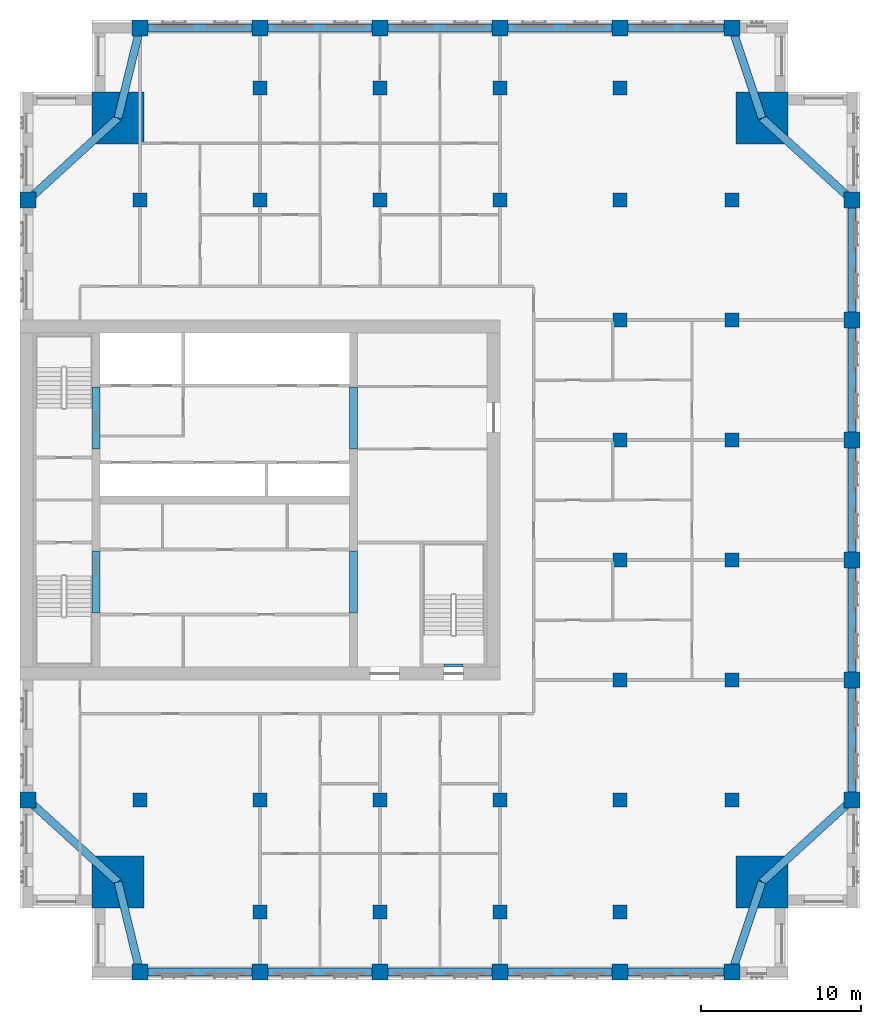
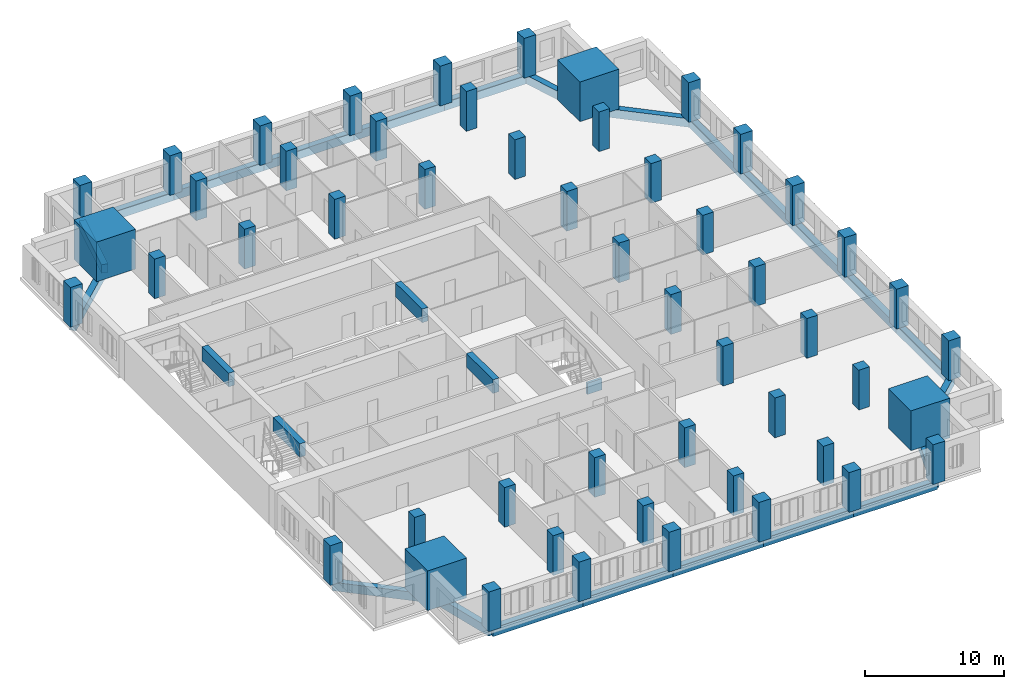
# One storey, part 1 of 14: 52 columns, 28 beams.
"""IFC4 building model written with IfcOpenShell, lengths in metres."""

import ifcopenshell
import ifcopenshell.guid

model = None  # the IFC model being written
_history = None  # IfcOwnerHistory: only IFC2X3 demands one
_inside = {}  # id of a spatial element -> (the spatial element, [elements in it])
_under = {}  # id of a project, library or spatial element -> (it, [spatial elements below it])
_declared = {}  # id of a project -> (the project, [libraries it declares])
_typed = {}  # id of a type object -> (the type object, [elements of that type])
_made_of = {}  # id of a material, layer set ... -> (it, [elements and type objects made of it])


def new_model(schema):
    """Start an empty IFC model of exactly this schema.

    Asked for "IFC4X3", IfcOpenShell would pick the latest addendum, in which some entities
    have other attributes; the version numbers below select the first issue.
    IFC2X3 requires an IfcOwnerHistory on every rooted entity: one is made here for all.
    """
    global model, _history
    if schema == "IFC4X3":
        model = ifcopenshell.file(schema_version=(4, 3, 0, 0))
    else:
        model = ifcopenshell.file(schema=schema)
    _inside.clear()
    _under.clear()
    _declared.clear()
    _typed.clear()
    _made_of.clear()
    _history = None
    if model.schema == "IFC2X3":
        org = make("IfcOrganization", Name="unknown")
        user = make(
            "IfcPersonAndOrganization",
            ThePerson=make("IfcPerson", FamilyName="unknown"),
            TheOrganization=org,
        )
        app = make(
            "IfcApplication",
            ApplicationDeveloper=org,
            Version="unknown",
            ApplicationFullName="unknown",
            ApplicationIdentifier="unknown",
        )
        _history = make(
            "IfcOwnerHistory",
            OwningUser=user,
            OwningApplication=app,
            ChangeAction="ADDED",
            CreationDate=0,
        )
    return model


def make(cls, **values):
    """One entity of the class cls with the attributes given. An attribute that is None is left unset."""
    return model.create_entity(
        cls, **{name: value for name, value in values.items() if value is not None}
    )


def rooted(cls, **values):
    """An entity with a GlobalId (a new one), such as an element, a storey or a relation."""
    return make(cls, GlobalId=ifcopenshell.guid.new(), OwnerHistory=_history, **values)


def si_unit(unit_type, name, prefix=None):
    """IfcSIUnit, for example si_unit("LENGTHUNIT", "METRE", prefix="MILLI")."""
    return make("IfcSIUnit", UnitType=unit_type, Prefix=prefix, Name=name)


def assignment(units):
    """IfcUnitAssignment: the units of a project."""
    return None if units is None else make("IfcUnitAssignment", Units=units)


def point(xyz):
    """IfcCartesianPoint."""
    return None if xyz is None else make("IfcCartesianPoint", Coordinates=xyz)


def direction(xyz):
    """IfcDirection."""
    return None if xyz is None else make("IfcDirection", DirectionRatios=xyz)


def frame(location, z_axis=None, x_axis=None):
    """IfcAxis2Placement3D, a coordinate frame: its origin and axes. An axis left out is left unset."""
    return make(
        "IfcAxis2Placement3D",
        Location=point(location),
        Axis=direction(z_axis),
        RefDirection=direction(x_axis),
    )


def frame_2d(location, x_axis=None):
    """IfcAxis2Placement2D, a coordinate frame in the plane: its origin and x axis."""
    return make(
        "IfcAxis2Placement2D", Location=point(location), RefDirection=direction(x_axis)
    )


def origin():
    """The frame at (0, 0, 0) with its axes left unset."""
    return frame((0.0, 0.0, 0.0))


def origin_2d():
    """The frame at (0, 0) in the plane with its x axis left unset."""
    return frame_2d((0.0, 0.0))


def place(relative_to, where):
    """IfcLocalPlacement: puts the frame where relative to a parent placement (None: the world)."""
    return make(
        "IfcLocalPlacement", PlacementRelTo=relative_to, RelativePlacement=where
    )


def context(
    kind, dimensions, precision=None, world=None, true_north=None, identifier=None
):
    """IfcGeometricRepresentationContext, for example the 3D "Model" context."""
    return make(
        "IfcGeometricRepresentationContext",
        ContextIdentifier=identifier,
        ContextType=kind,
        CoordinateSpaceDimension=dimensions,
        Precision=precision,
        WorldCoordinateSystem=world,
        TrueNorth=true_north,
    )


def subcontext(parent, identifier, kind, view, scale=None):
    """IfcGeometricRepresentationSubContext, for example "Body" below "Model"."""
    return make(
        "IfcGeometricRepresentationSubContext",
        ContextIdentifier=identifier,
        ContextType=kind,
        ParentContext=parent,
        TargetScale=scale,
        TargetView=view,
    )


def project(units=None, contexts=None):
    """IfcProject with its units and contexts."""
    return rooted(
        "IfcProject",
        Name="project",
        RepresentationContexts=contexts,
        UnitsInContext=assignment(units),
    )


def spatial(cls, under=None, at=None, **own):
    """A site, building, storey or space (cls), placed at a placement, below another one or the project."""
    s = rooted(cls, ObjectPlacement=at, **own)
    if under is not None:
        _under.setdefault(under.id(), (under, []))[1].append(s)
    return s


def profile(cls, at=None, kind="AREA", **sizes):
    """A parametric profile (cls). Its sizes go by their IFC names, for example OverallWidth=200.0."""
    return make(cls, ProfileType=kind, Position=at, **sizes)


def rectangle(**sizes):
    """IfcRectangleProfileDef."""
    return profile("IfcRectangleProfileDef", **sizes)


def extrude(swept, where, along, depth):
    """IfcExtrudedAreaSolid: the profile swept, set in the frame where, extruded along a direction by depth."""
    return make(
        "IfcExtrudedAreaSolid",
        SweptArea=swept,
        Position=where,
        ExtrudedDirection=direction(along),
        Depth=depth,
    )


def shape(context_of_items, identifier, shape_type, items):
    """IfcShapeRepresentation: the items that make up one representation, for example the "Body"."""
    return make(
        "IfcShapeRepresentation",
        ContextOfItems=context_of_items,
        RepresentationIdentifier=identifier,
        RepresentationType=shape_type,
        Items=items,
    )


def material(Name=None, Category=None):
    """IfcMaterial."""
    return make("IfcMaterial", Name=Name, Category=Category)


def material_profile(
    of_material, cross_section, Name=None, Category=None, Priority=None
):
    """IfcMaterialProfile: a cross section and its material."""
    return make(
        "IfcMaterialProfile",
        Name=Name,
        Material=of_material,
        Profile=cross_section,
        Priority=Priority,
        Category=Category,
    )


def profile_set(profiles, Name=None, composite=None):
    """IfcMaterialProfileSet."""
    return make(
        "IfcMaterialProfileSet",
        Name=Name,
        MaterialProfiles=profiles,
        CompositeProfile=composite,
    )


def made_of(thing, what):
    """Note that an element or type object is made of a material, layer set ...; save() writes the relation."""
    if what is not None:
        _made_of.setdefault(what.id(), (what, []))[1].append(thing)
    return thing


def type_object(cls, material=None, **own):
    """A type object (cls), such as IfcWallType, which elements share."""
    return made_of(rooted(cls, **own), material)


def element(
    cls,
    number,
    at=None,
    inside=None,
    cuts=None,
    type_object=None,
    material=None,
    context=None,
    identifier="Body",
    shape_type=None,
    held_by="IfcProductDefinitionShape",
    body=None,
    shapes=None,
    **own,
):
    """One element of the class cls, such as IfcWall. Its Tag is "e" and its number.

    at: its placement. inside: the storey or other place that contains it. cuts: it is an
    opening in that element (IfcRelVoidsElement). A single representation is given by context,
    identifier, shape_type and body (its items); several are given by shapes. held_by: the class
    of the entity that holds the representations. save() writes the other relations.
    """
    e = rooted(cls, Tag="e%d" % number, ObjectPlacement=at, **own)
    if body is not None:
        shapes = [shape(context, identifier, shape_type, body)]
    if shapes is not None:
        e.Representation = make(held_by, Representations=shapes)
    if inside is not None:
        _inside.setdefault(inside.id(), (inside, []))[1].append(e)
    if cuts is not None:
        rooted(
            "IfcRelVoidsElement", RelatingBuildingElement=cuts, RelatedOpeningElement=e
        )
    if type_object is not None:
        _typed.setdefault(type_object.id(), (type_object, []))[1].append(e)
    return made_of(e, material)


def aggregate(whole, parts):
    """IfcRelAggregates: a whole, such as a stair, and the parts it consists of."""
    return rooted("IfcRelAggregates", RelatingObject=whole, RelatedObjects=parts)


def save(model, path):
    """Write the relations noted so far, then the file.

    IfcRelAggregates (storeys below a building ...), IfcRelContainedInSpatialStructure (elements
    in a storey), IfcRelDefinesByType, IfcRelAssociatesMaterial and IfcRelDeclares: one each for
    every whole, place, type object, material and project.
    """
    for whole, parts in _under.values():
        aggregate(whole, parts)
    for where, things in _inside.values():
        rooted(
            "IfcRelContainedInSpatialStructure",
            RelatedElements=things,
            RelatingStructure=where,
        )
    for kind, things in _typed.values():
        rooted("IfcRelDefinesByType", RelatedObjects=things, RelatingType=kind)
    for what, things in _made_of.values():
        rooted("IfcRelAssociatesMaterial", RelatedObjects=things, RelatingMaterial=what)
    for by, libraries in _declared.values():
        rooted("IfcRelDeclares", RelatingContext=by, RelatedDefinitions=libraries)
    model.write(path)


model = new_model("IFC4")

# Units and contexts
model_context = context("Model", 3, precision=1e-05, world=origin(), true_north=direction((0.0, 1.0)))
body_context = subcontext(model_context, "Body", "Model", "MODEL_VIEW")
ifc_project = project(units=[si_unit("LENGTHUNIT", "METRE"), si_unit("AREAUNIT", "SQUARE_METRE"), si_unit("VOLUMEUNIT", "CUBIC_METRE"), si_unit("PLANEANGLEUNIT", "RADIAN"), si_unit("MASSUNIT", "GRAM", prefix="KILO")], contexts=[model_context])

# Site, building, storey
site_placement = place(None, origin())
site = spatial("IfcSite", under=ifc_project, at=site_placement, CompositionType="ELEMENT")
building_placement = place(site_placement, origin())
building = spatial("IfcBuilding", under=site, at=building_placement, Name="Tamorin Gate", CompositionType="ELEMENT")
storey_placement = place(building_placement, frame((0.0, 0.0, 203.699951171875)))
storey = spatial("IfcBuildingStorey", under=building, at=storey_placement, Name="L50", CompositionType="ELEMENT", Elevation=203.699951171875)

# Columns
ifc_material_1 = material(Name="Concrete C60/75", Category="concrete")
ifc_material_profile_1 = material_profile(ifc_material_1, rectangle(XDim=1.0, YDim=1.0, at=origin_2d()), Name="RC 1000x1000")
ifc_profile_set_1 = profile_set([ifc_material_profile_1], Name="Concrete C60/75")
column_type_1 = type_object("IfcColumnType", Name="RC column 1000x1000 C60/75", PredefinedType="COLUMN", material=ifc_profile_set_1)
for number, where, z_axis, x_axis, name in (
    (1, (37.5, 41.75, 0.0), (0.0, 0.0, 1.0), (1.0, 0.0, 0.0), "Ring column L50"),
    (2, (45.0, 41.75, 0.0), (0.0, 0.0, 1.0), (1.0, 0.0, 0.0), "Ring column L50"),
    (3, (52.5, 41.75, 0.0), (0.0, 0.0, 1.0), (1.0, 0.0, 0.0), "Ring column L50"),
    (4, (60.0, 41.75, 0.0), (0.0, 0.0, 1.0), (1.0, 0.0, 0.0), "Ring column L50"),
    (5, (67.5, 41.75, 0.0), (0.0, 0.0, 1.0), (1.0, 0.0, 0.0), "Ring column L50"),
    (6, (74.5, 41.75, 0.0), (0.0, 0.0, 1.0), (1.0, 0.0, 0.0), "Ring column L50"),
    (7, (37.5, 100.75, 0.0), (0.0, 0.0, 1.0), (1.0, 0.0, 0.0), "Ring column L50"),
    (8, (45.0, 100.75, 0.0), (0.0, 0.0, 1.0), (1.0, 0.0, 0.0), "Ring column L50"),
    (9, (52.5, 100.75, 0.0), (0.0, 0.0, 1.0), (1.0, 0.0, 0.0), "Ring column L50"),
    (10, (60.0, 100.75, 0.0), (0.0, 0.0, 1.0), (1.0, 0.0, 0.0), "Ring column L50"),
    (11, (67.5, 100.75, 0.0), (0.0, 0.0, 1.0), (1.0, 0.0, 0.0), "Ring column L50"),
    (12, (74.5, 100.75, 0.0), (0.0, 0.0, 1.0), (1.0, 0.0, 0.0), "Ring column L50"),
    (13, (30.5, 52.5, 0.0), (0.0, 0.0, 1.0), (1.0, 0.0, 0.0), "Ring column L50"),
    (14, (30.5, 90.0, 0.0), (0.0, 0.0, 1.0), (1.0, 0.0, 0.0), "Ring column L50"),
    (15, (82.0, 52.5, 0.0), (0.0, 0.0, 1.0), (1.0, 0.0, 0.0), "Ring column L50"),
    (16, (82.0, 60.0, 0.0), (0.0, 0.0, 1.0), (1.0, 0.0, 0.0), "Ring column L50"),
    (17, (82.0, 67.5, 0.0), (0.0, 0.0, 1.0), (1.0, 0.0, 0.0), "Ring column L50"),
    (18, (82.0, 75.0, 0.0), (0.0, 0.0, 1.0), (1.0, 0.0, 0.0), "Ring column L50"),
    (19, (82.0, 82.5, 0.0), (0.0, 0.0, 1.0), (1.0, 0.0, 0.0), "Ring column L50"),
    (20, (82.0, 90.0, 0.0), (0.0, 0.0, 1.0), (1.0, 0.0, 0.0), "Ring column L50"),
):
    element("IfcColumn", number, at=place(storey_placement, frame(where, z_axis=z_axis, x_axis=x_axis)), inside=storey, type_object=column_type_1, Name=name, PredefinedType="COLUMN", context=body_context, shape_type="SweptSolid", body=[
        extrude(rectangle(XDim=1.0, YDim=1.0, at=origin_2d()), origin(), (0.0, 0.0, 1.0), 3.5),
    ])
ifc_material_profile_2 = material_profile(ifc_material_1, rectangle(XDim=3.25, YDim=3.25, at=origin_2d()), Name="RC 3250x3250")
ifc_profile_set_2 = profile_set([ifc_material_profile_2], Name="Concrete C60/75")
column_type_2 = type_object("IfcColumnType", Name="RC column 3250x3250 C60/75", PredefinedType="COLUMN", material=ifc_profile_set_2)
for number, where, z_axis, x_axis, name in (
    (21, (36.125, 47.375, 0.0), (0.0, 0.0, 1.0), (1.0, 0.0, 0.0), "Mega column SW L50"),
    (22, (76.375, 47.375, 0.0), (0.0, 0.0, 1.0), (1.0, 0.0, 0.0), "Mega column SE L50"),
    (23, (36.125, 95.125, 0.0), (0.0, 0.0, 1.0), (1.0, 0.0, 0.0), "Mega column NW L50"),
    (24, (76.375, 95.125, 0.0), (0.0, 0.0, 1.0), (1.0, 0.0, 0.0), "Mega column NE L50"),
):
    element("IfcColumn", number, at=place(storey_placement, frame(where, z_axis=z_axis, x_axis=x_axis)), inside=storey, type_object=column_type_2, Name=name, PredefinedType="COLUMN", context=body_context, shape_type="SweptSolid", body=[
        extrude(rectangle(XDim=3.25, YDim=3.25, at=origin_2d()), origin(), (0.0, 0.0, 1.0), 3.5),
    ])
ifc_material_profile_3 = material_profile(ifc_material_1, rectangle(XDim=0.89990234375, YDim=0.89990234375, at=origin_2d()), Name="RC 900x900")
ifc_profile_set_3 = profile_set([ifc_material_profile_3], Name="Concrete C60/75")
column_type_3 = type_object("IfcColumnType", Name="RC column 900x900 C60/75", PredefinedType="COLUMN", material=ifc_profile_set_3)
for number, where, z_axis, x_axis, name in (
    (25, (37.5, 52.5, 0.0), (0.0, 0.0, 1.0), (1.0, 0.0, 0.0), "Interior column L50"),
    (26, (37.5, 90.0, 0.0), (0.0, 0.0, 1.0), (1.0, 0.0, 0.0), "Interior column L50"),
    (27, (45.0, 45.5, 0.0), (0.0, 0.0, 1.0), (1.0, 0.0, 0.0), "Interior column L50"),
    (28, (45.0, 52.5, 0.0), (0.0, 0.0, 1.0), (1.0, 0.0, 0.0), "Interior column L50"),
    (29, (45.0, 90.0, 0.0), (0.0, 0.0, 1.0), (1.0, 0.0, 0.0), "Interior column L50"),
    (30, (45.0, 97.0, 0.0), (0.0, 0.0, 1.0), (1.0, 0.0, 0.0), "Interior column L50"),
    (31, (52.5, 45.5, 0.0), (0.0, 0.0, 1.0), (1.0, 0.0, 0.0), "Interior column L50"),
    (32, (52.5, 52.5, 0.0), (0.0, 0.0, 1.0), (1.0, 0.0, 0.0), "Interior column L50"),
    (33, (52.5, 90.0, 0.0), (0.0, 0.0, 1.0), (1.0, 0.0, 0.0), "Interior column L50"),
    (34, (52.5, 97.0, 0.0), (0.0, 0.0, 1.0), (1.0, 0.0, 0.0), "Interior column L50"),
    (35, (60.0, 45.5, 0.0), (0.0, 0.0, 1.0), (1.0, 0.0, 0.0), "Interior column L50"),
    (36, (60.0, 52.5, 0.0), (0.0, 0.0, 1.0), (1.0, 0.0, 0.0), "Interior column L50"),
    (37, (60.0, 90.0, 0.0), (0.0, 0.0, 1.0), (1.0, 0.0, 0.0), "Interior column L50"),
    (38, (60.0, 97.0, 0.0), (0.0, 0.0, 1.0), (1.0, 0.0, 0.0), "Interior column L50"),
    (39, (67.5, 45.5, 0.0), (0.0, 0.0, 1.0), (1.0, 0.0, 0.0), "Interior column L50"),
    (40, (67.5, 52.5, 0.0), (0.0, 0.0, 1.0), (1.0, 0.0, 0.0), "Interior column L50"),
    (41, (67.5, 60.0, 0.0), (0.0, 0.0, 1.0), (1.0, 0.0, 0.0), "Interior column L50"),
    (42, (67.5, 67.5, 0.0), (0.0, 0.0, 1.0), (1.0, 0.0, 0.0), "Interior column L50"),
    (43, (67.5, 75.0, 0.0), (0.0, 0.0, 1.0), (1.0, 0.0, 0.0), "Interior column L50"),
    (44, (67.5, 82.5, 0.0), (0.0, 0.0, 1.0), (1.0, 0.0, 0.0), "Interior column L50"),
    (45, (67.5, 90.0, 0.0), (0.0, 0.0, 1.0), (1.0, 0.0, 0.0), "Interior column L50"),
    (46, (67.5, 97.0, 0.0), (0.0, 0.0, 1.0), (1.0, 0.0, 0.0), "Interior column L50"),
    (47, (74.5, 52.5, 0.0), (0.0, 0.0, 1.0), (1.0, 0.0, 0.0), "Interior column L50"),
    (48, (74.5, 60.0, 0.0), (0.0, 0.0, 1.0), (1.0, 0.0, 0.0), "Interior column L50"),
    (49, (74.5, 67.5, 0.0), (0.0, 0.0, 1.0), (1.0, 0.0, 0.0), "Interior column L50"),
    (50, (74.5, 75.0, 0.0), (0.0, 0.0, 1.0), (1.0, 0.0, 0.0), "Interior column L50"),
    (51, (74.5, 82.5, 0.0), (0.0, 0.0, 1.0), (1.0, 0.0, 0.0), "Interior column L50"),
    (52, (74.5, 90.0, 0.0), (0.0, 0.0, 1.0), (1.0, 0.0, 0.0), "Interior column L50"),
):
    element("IfcColumn", number, at=place(storey_placement, frame(where, z_axis=z_axis, x_axis=x_axis)), inside=storey, type_object=column_type_3, Name=name, PredefinedType="COLUMN", context=body_context, shape_type="SweptSolid", body=[
        extrude(rectangle(XDim=0.89990234375, YDim=0.89990234375, at=origin_2d()), origin(), (0.0, 0.0, 1.0), 3.5),
    ])

# Beams
ifc_material_profile_4 = material_profile(ifc_material_1, rectangle(XDim=0.5, YDim=1.199951171875, at=origin_2d()), Name="RC 500x1200")
ifc_profile_set_4 = profile_set([ifc_material_profile_4], Name="Concrete C60/75")
beam_type_1 = type_object("IfcBeamType", Name="RC coupling beam 500x1200 C60/75", PredefinedType="BEAM", material=ifc_profile_set_4)
for number, where, z_axis, x_axis, name in (
    (53, (34.75, 64.199951171875, 2.900146484375), (0.0, 1.0, 0.0), (-1.0, 0.0, 0.0), "Coupling beam L50"),
    (54, (34.75, 74.449951171875, 2.900146484375), (0.0, 1.0, 0.0), (-1.0, 0.0, 0.0), "Coupling beam L50"),
    (55, (50.85009765625, 64.199951171875, 2.900146484375), (0.0, 1.0, 0.0), (-1.0, 0.0, 0.0), "Coupling beam L50"),
    (56, (50.85009765625, 74.449951171875, 2.900146484375), (0.0, 1.0, 0.0), (-1.0, 0.0, 0.0), "Coupling beam L50"),
):
    element("IfcBeam", number, at=place(storey_placement, frame(where, z_axis=z_axis, x_axis=x_axis)), inside=storey, type_object=beam_type_1, Name=name, PredefinedType="BEAM", context=body_context, shape_type="SweptSolid", body=[
        extrude(rectangle(XDim=0.5, YDim=1.199951171875, at=origin_2d()), origin(), (0.0, 0.0, 1.0), 3.85009765625),
    ])
ifc_material_2 = material(Name="Concrete C50/60", Category="concrete")
ifc_material_profile_5 = material_profile(ifc_material_2, rectangle(XDim=0.5, YDim=0.75, at=origin_2d()), Name="RC 500x750")
ifc_profile_set_5 = profile_set([ifc_material_profile_5], Name="Concrete C50/60")
beam_type_2 = type_object("IfcBeamType", Name="RC spandrel 500x750 C50/60", PredefinedType="BEAM", material=ifc_profile_set_5)
for number, where, z_axis, x_axis, name in (
    (57, (37.5, 41.75, -0.375), (1.0, 0.0, 0.0), (0.0, 1.0, 0.0), "Spandrel beam L50"),
    (58, (45.0, 41.75, -0.375), (1.0, 0.0, 0.0), (0.0, 1.0, 0.0), "Spandrel beam L50"),
    (59, (52.5, 41.75, -0.375), (1.0, 0.0, 0.0), (0.0, 1.0, 0.0), "Spandrel beam L50"),
    (60, (60.0, 41.75, -0.375), (1.0, 0.0, 0.0), (0.0, 1.0, 0.0), "Spandrel beam L50"),
):
    element("IfcBeam", number, at=place(storey_placement, frame(where, z_axis=z_axis, x_axis=x_axis)), inside=storey, type_object=beam_type_2, Name=name, PredefinedType="BEAM", context=body_context, shape_type="SweptSolid", body=[
        extrude(rectangle(XDim=0.5, YDim=0.75, at=origin_2d()), origin(), (0.0, 0.0, 1.0), 7.5),
    ])
beam_1_placement = place(storey_placement, frame((67.5, 41.75, -0.375), z_axis=(1.0, 0.0, 0.0), x_axis=(0.0, 1.0, 0.0)))
element("IfcBeam", 61, at=beam_1_placement, inside=storey, type_object=beam_type_2, Name="Spandrel beam L50", PredefinedType="BEAM", context=body_context, shape_type="SweptSolid", body=[
    extrude(rectangle(XDim=0.5, YDim=0.75, at=origin_2d()), origin(), (0.0, 0.0, 1.0), 7.0),
])
for number, where, z_axis, x_axis, name in (
    (62, (82.0, 52.5, -0.375), (0.0, 1.0, 0.0), (-1.0, 0.0, 0.0), "Spandrel beam L50"),
    (63, (82.0, 60.0, -0.375), (0.0, 1.0, 0.0), (-1.0, 0.0, 0.0), "Spandrel beam L50"),
    (64, (82.0, 67.5, -0.375), (0.0, 1.0, 0.0), (-1.0, 0.0, 0.0), "Spandrel beam L50"),
    (65, (82.0, 75.0, -0.375), (0.0, 1.0, 0.0), (-1.0, 0.0, 0.0), "Spandrel beam L50"),
    (66, (82.0, 82.5, -0.375), (0.0, 1.0, 0.0), (-1.0, 0.0, 0.0), "Spandrel beam L50"),
):
    element("IfcBeam", number, at=place(storey_placement, frame(where, z_axis=z_axis, x_axis=x_axis)), inside=storey, type_object=beam_type_2, Name=name, PredefinedType="BEAM", context=body_context, shape_type="SweptSolid", body=[
        extrude(rectangle(XDim=0.5, YDim=0.75, at=origin_2d()), origin(), (0.0, 0.0, 1.0), 7.5),
    ])
beam_2_placement = place(storey_placement, frame((74.5, 100.75, -0.375), z_axis=(-1.0, 0.0, 0.0), x_axis=(0.0, -1.0, 0.0)))
element("IfcBeam", 67, at=beam_2_placement, inside=storey, type_object=beam_type_2, Name="Spandrel beam L50", PredefinedType="BEAM", context=body_context, shape_type="SweptSolid", body=[
    extrude(rectangle(XDim=0.5, YDim=0.75, at=origin_2d()), origin(), (0.0, 0.0, 1.0), 7.0),
])
for number, where, z_axis, x_axis, name in (
    (68, (67.5, 100.75, -0.375), (-1.0, 0.0, 0.0), (0.0, -1.0, 0.0), "Spandrel beam L50"),
    (69, (60.0, 100.75, -0.375), (-1.0, 0.0, 0.0), (0.0, -1.0, 0.0), "Spandrel beam L50"),
    (70, (52.5, 100.75, -0.375), (-1.0, 0.0, 0.0), (0.0, -1.0, 0.0), "Spandrel beam L50"),
    (71, (45.0, 100.75, -0.375), (-1.0, 0.0, 0.0), (0.0, -1.0, 0.0), "Spandrel beam L50"),
):
    element("IfcBeam", number, at=place(storey_placement, frame(where, z_axis=z_axis, x_axis=x_axis)), inside=storey, type_object=beam_type_2, Name=name, PredefinedType="BEAM", context=body_context, shape_type="SweptSolid", body=[
        extrude(rectangle(XDim=0.5, YDim=0.75, at=origin_2d()), origin(), (0.0, 0.0, 1.0), 7.5),
    ])
beam_3_placement = place(storey_placement, frame((36.125, 47.375, -0.375), z_axis=(0.237453090477, -0.971399006497, 0.0), x_axis=(0.971399006497, 0.237453090477, 0.0)))
element("IfcBeam", 72, at=beam_3_placement, inside=storey, type_object=beam_type_2, Name="Corner tie beam L50", PredefinedType="BEAM", context=body_context, shape_type="SweptSolid", body=[
    extrude(rectangle(XDim=0.5, YDim=0.75, at=origin_2d()), origin(), (0.0, 0.0, 1.0), 5.79052734375),
])
beam_4_placement = place(storey_placement, frame((36.125, 47.375, -0.375), z_axis=(-0.739196337275, 0.673489996184, 0.0), x_axis=(-0.673489996184, -0.739196337275, 0.0)))
element("IfcBeam", 73, at=beam_4_placement, inside=storey, type_object=beam_type_2, Name="Corner tie beam L50", PredefinedType="BEAM", context=body_context, shape_type="SweptSolid", body=[
    extrude(rectangle(XDim=0.5, YDim=0.75, at=origin_2d()), origin(), (0.0, 0.0, 1.0), 7.609619140625),
])
beam_5_placement = place(storey_placement, frame((76.375, 47.375, -0.375), z_axis=(-0.316227766017, -0.948683298051, 0.0), x_axis=(0.948683298051, -0.316227766017, 0.0)))
element("IfcBeam", 74, at=beam_5_placement, inside=storey, type_object=beam_type_2, Name="Corner tie beam L50", PredefinedType="BEAM", context=body_context, shape_type="SweptSolid", body=[
    extrude(rectangle(XDim=0.5, YDim=0.75, at=origin_2d()), origin(), (0.0, 0.0, 1.0), 5.92919921875),
])
beam_6_placement = place(storey_placement, frame((76.375, 47.375, -0.375), z_axis=(0.739196337275, 0.673489996184, 0.0), x_axis=(-0.673489996184, 0.739196337275, 0.0)))
element("IfcBeam", 75, at=beam_6_placement, inside=storey, type_object=beam_type_2, Name="Corner tie beam L50", PredefinedType="BEAM", context=body_context, shape_type="SweptSolid", body=[
    extrude(rectangle(XDim=0.5, YDim=0.75, at=origin_2d()), origin(), (0.0, 0.0, 1.0), 7.609619140625),
])
beam_7_placement = place(storey_placement, frame((36.125, 95.125, -0.375), z_axis=(0.237453090477, 0.971399006497, 0.0), x_axis=(-0.971399006497, 0.237453090477, 0.0)))
element("IfcBeam", 76, at=beam_7_placement, inside=storey, type_object=beam_type_2, Name="Corner tie beam L50", PredefinedType="BEAM", context=body_context, shape_type="SweptSolid", body=[
    extrude(rectangle(XDim=0.5, YDim=0.75, at=origin_2d()), origin(), (0.0, 0.0, 1.0), 5.79052734375),
])
beam_8_placement = place(storey_placement, frame((36.125, 95.125, -0.375), z_axis=(-0.739196337275, -0.673489996184, 0.0), x_axis=(0.673489996184, -0.739196337275, 0.0)))
element("IfcBeam", 77, at=beam_8_placement, inside=storey, type_object=beam_type_2, Name="Corner tie beam L50", PredefinedType="BEAM", context=body_context, shape_type="SweptSolid", body=[
    extrude(rectangle(XDim=0.5, YDim=0.75, at=origin_2d()), origin(), (0.0, 0.0, 1.0), 7.609619140625),
])
beam_9_placement = place(storey_placement, frame((76.375, 95.125, -0.375), z_axis=(-0.316227766017, 0.948683298051, 0.0), x_axis=(-0.948683298051, -0.316227766017, 0.0)))
element("IfcBeam", 78, at=beam_9_placement, inside=storey, type_object=beam_type_2, Name="Corner tie beam L50", PredefinedType="BEAM", context=body_context, shape_type="SweptSolid", body=[
    extrude(rectangle(XDim=0.5, YDim=0.75, at=origin_2d()), origin(), (0.0, 0.0, 1.0), 5.92919921875),
])
beam_10_placement = place(storey_placement, frame((76.375, 95.125, -0.375), z_axis=(0.739196337275, -0.673489996184, 0.0), x_axis=(0.673489996184, 0.739196337275, 0.0)))
element("IfcBeam", 79, at=beam_10_placement, inside=storey, type_object=beam_type_2, Name="Corner tie beam L50", PredefinedType="BEAM", context=body_context, shape_type="SweptSolid", body=[
    extrude(rectangle(XDim=0.5, YDim=0.75, at=origin_2d()), origin(), (0.0, 0.0, 1.0), 7.609619140625),
])
ifc_material_profile_6 = material_profile(ifc_material_1, rectangle(XDim=0.199951171875, YDim=1.0, at=origin_2d()))
ifc_profile_set_6 = profile_set([ifc_material_profile_6], Name="Concrete C60/75")
beam_type_3 = type_object("IfcBeamType", Name="Stair lintel 200x1000 C60/75", PredefinedType="BEAM", material=ifc_profile_set_6)
beam_11_placement = place(storey_placement, frame((56.5, 60.89990234375, 2.699951171875), z_axis=(1.0, 0.0, 0.0), x_axis=(0.0, 1.0, 0.0)))
element("IfcBeam", 80, at=beam_11_placement, inside=storey, type_object=beam_type_3, Name="Stair lintel", PredefinedType="BEAM", context=body_context, shape_type="SweptSolid", body=[
    extrude(rectangle(XDim=0.199951171875, YDim=1.0, at=origin_2d()), origin(), (0.0, 0.0, 1.0), 1.199951171875),
])

save(model, "model.ifc")
